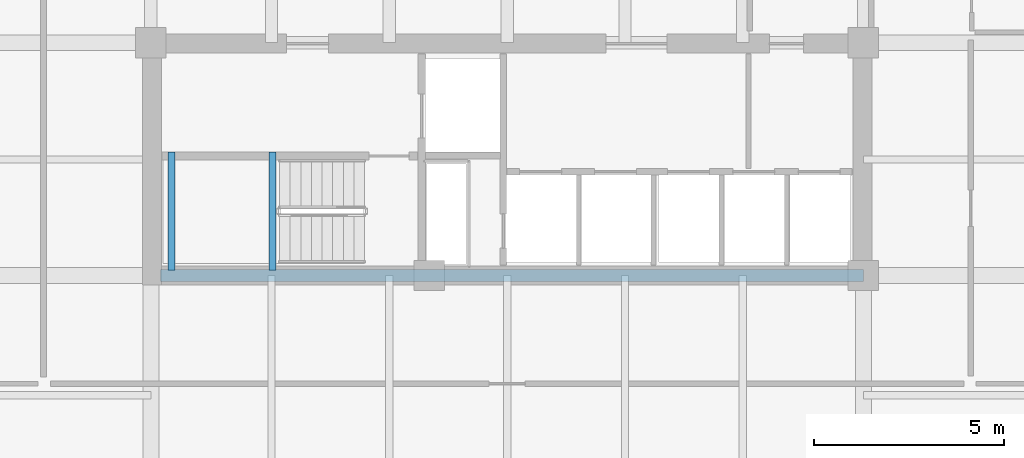
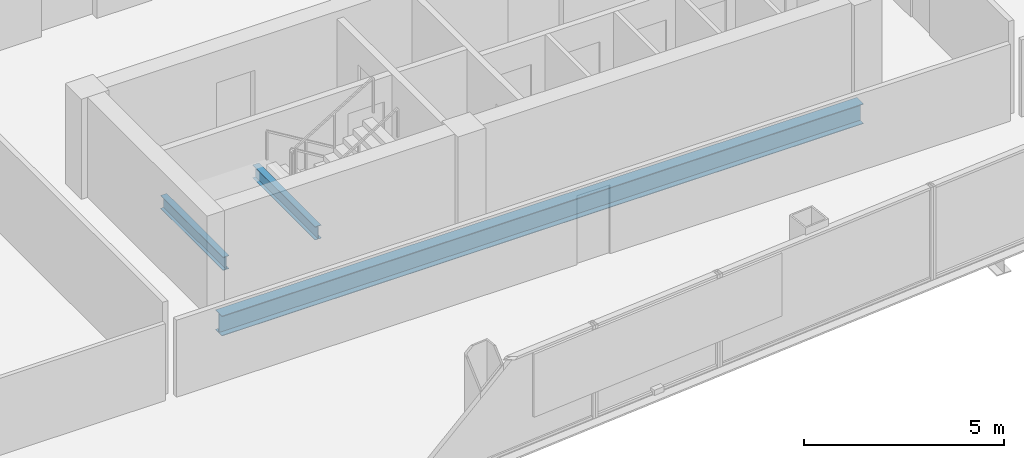
# One storey, part 5 of 21: 3 beams.
"""IFC4 building model written with IfcOpenShell, lengths in metres."""

from ifc_helpers import new_model, si_unit, direction, frame, origin, origin_2d, place, context, subcontext, project, spatial, i_section, extrude, material, material_profile, profile_set, type_object, element, save


model = new_model("IFC4")

# Units and contexts
model_context = context("Model", 3, precision=1e-05, world=origin(), true_north=direction((0.0, 1.0)))
body_context = subcontext(model_context, "Body", "Model", "MODEL_VIEW")
ifc_project = project(units=[si_unit("LENGTHUNIT", "METRE"), si_unit("AREAUNIT", "SQUARE_METRE"), si_unit("VOLUMEUNIT", "CUBIC_METRE"), si_unit("PLANEANGLEUNIT", "RADIAN"), si_unit("MASSUNIT", "GRAM", prefix="KILO")], contexts=[model_context])

# Site, building, storey
site_placement = place(None, origin())
site = spatial("IfcSite", under=ifc_project, at=site_placement, CompositionType="ELEMENT")
building_placement = place(site_placement, origin())
building = spatial("IfcBuilding", under=site, at=building_placement, Name="Qhalaya Broadcast Tower", CompositionType="ELEMENT")
storey_placement = place(building_placement, frame((0.0, 0.0, 162.25)))
storey = spatial("IfcBuildingStorey", under=building, at=storey_placement, Name="L47", CompositionType="ELEMENT", Elevation=162.25)

# Beams
ifc_material = material(Name="Structural Steel ASTM A992 Grade 50", Category="steel")
ifc_material_profile_1 = material_profile(ifc_material, i_section(OverallWidth=0.323974609375, OverallDepth=0.612060546875, WebThickness=0.0126953125, FlangeThickness=0.01904296875, at=origin_2d()), Name="W24X104")
ifc_profile_set_1 = profile_set([ifc_material_profile_1], Name="Structural Steel ASTM A992 Grade 50")
beam_type_1 = type_object("IfcBeamType", Name="Core Frame Tie Beam B04", PredefinedType="BEAM", material=ifc_profile_set_1)
beam_placement = place(storey_placement, frame((-9.1201171875, -8.75, -0.52587890625), z_axis=(1.0, 0.0, 0.0), x_axis=(0.0, 1.0, 0.0)))
element("IfcBeam", 1, at=beam_placement, inside=storey, type_object=beam_type_1, Name="L47 B04 L47-CCS3", PredefinedType="BEAM", context=body_context, shape_type="SweptSolid", body=[
    extrude(i_section(OverallWidth=0.323974609375, OverallDepth=0.612060546875, WebThickness=0.0126953125, FlangeThickness=0.01904296875, at=origin_2d()), origin(), (0.0, 0.0, 1.0), 18.4951171875),
])
ifc_material_profile_2 = material_profile(ifc_material, i_section(OverallWidth=0.177978515625, OverallDepth=0.406005859375, WebThickness=0.0078125, FlangeThickness=0.0126953125, at=origin_2d()), Name="W16X40")
ifc_profile_set_2 = profile_set([ifc_material_profile_2], Name="Structural Steel ASTM A992 Grade 50")
beam_type_2 = type_object("IfcBeamType", Name="Upper Perimeter Spandrel Beam SP2", PredefinedType="SPANDREL", material=ifc_profile_set_2)
for number, where, z_axis, x_axis, name in (
    (2, (-8.830078125, -8.6201171875, 1.1220703125), (0.0, 1.0, 0.0), (-1.0, 0.0, 0.0), "L47 ST-2 Half-Landing Bearer Beam 1"),
    (3, (-6.175048828125, -8.6201171875, 1.1220703125), (0.0, 1.0, 0.0), (-1.0, 0.0, 0.0), "L47 ST-2 Half-Landing Bearer Beam 2"),
):
    element("IfcBeam", number, at=place(storey_placement, frame(where, z_axis=z_axis, x_axis=x_axis)), inside=storey, type_object=beam_type_2, Name=name, PredefinedType="SPANDREL", context=body_context, shape_type="SweptSolid", body=[
        extrude(i_section(OverallWidth=0.177978515625, OverallDepth=0.406005859375, WebThickness=0.0078125, FlangeThickness=0.0126953125, at=origin_2d()), origin(), (0.0, 0.0, 1.0), 3.1201171875),
    ])

save(model, "model.ifc")
